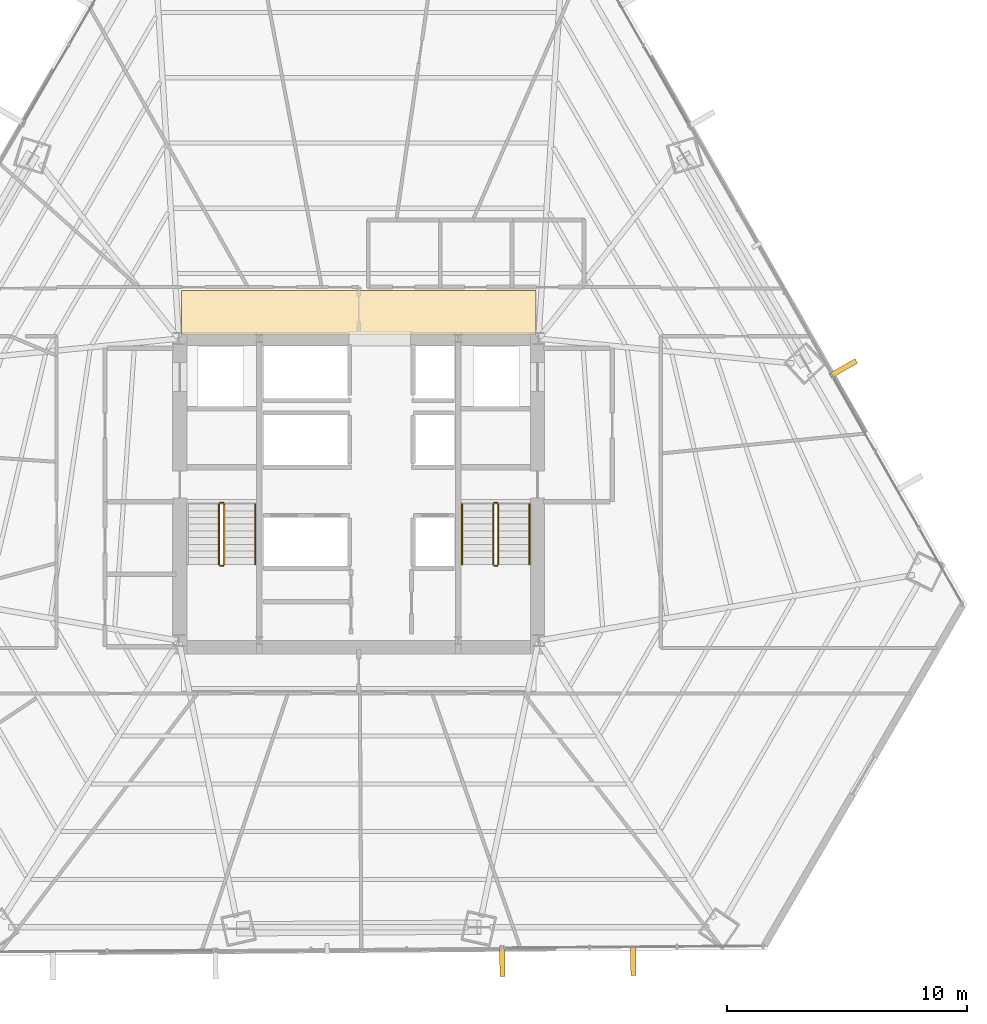
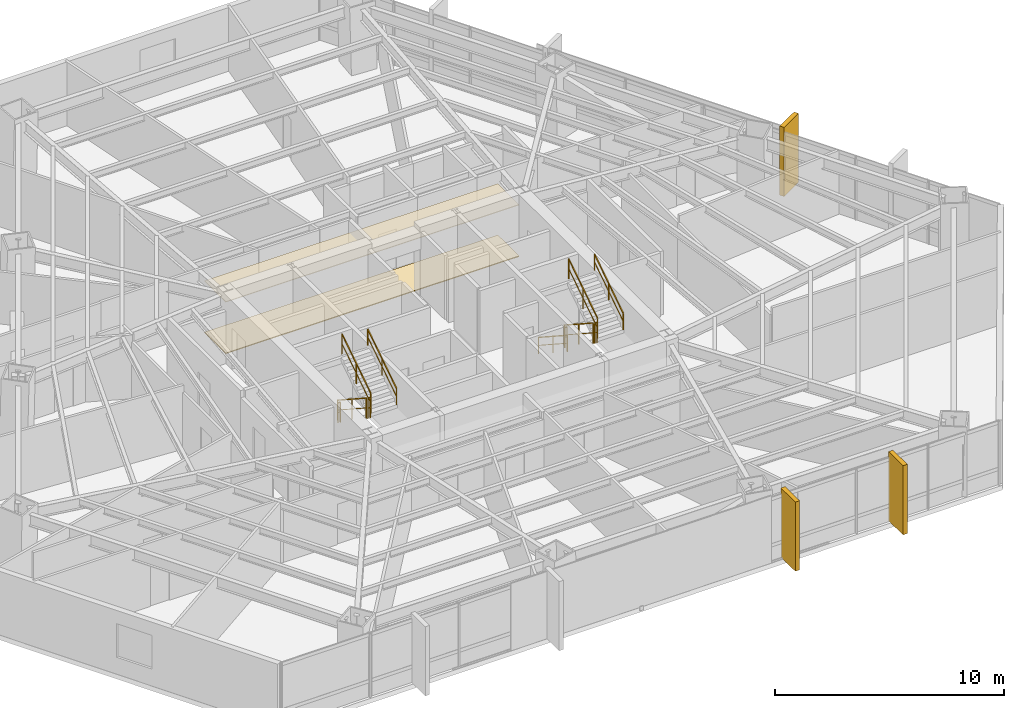
# One storey, part 33 of 34: 11 railings, 5 coverings.
"""IFC4 building model written with IfcOpenShell, lengths in metres."""

from ifc_helpers import new_model, si_unit, direction, frame, origin, origin_2d, place, context, subcontext, project, spatial, polyline, rectangle, outline, extrude, source, transform, mapped, material, layer, layer_set, type_object, type_shapes, element, save


model = new_model("IFC4")

# Units and contexts
model_context = context("Model", 3, precision=1e-05, world=origin(), true_north=direction((0.0, 1.0)))
body_context = subcontext(model_context, "Body", "Model", "MODEL_VIEW")
ifc_project = project(units=[si_unit("LENGTHUNIT", "METRE"), si_unit("AREAUNIT", "SQUARE_METRE"), si_unit("VOLUMEUNIT", "CUBIC_METRE"), si_unit("PLANEANGLEUNIT", "RADIAN"), si_unit("MASSUNIT", "GRAM", prefix="KILO")], contexts=[model_context])

# Site, building, storey
site_placement = place(None, origin())
site = spatial("IfcSite", under=ifc_project, at=site_placement, CompositionType="ELEMENT")
building_placement = place(site_placement, origin())
building = spatial("IfcBuilding", under=site, at=building_placement, Name="Caelisora Broadcast Tower", CompositionType="ELEMENT")
storey_placement = place(building_placement, frame((0.0, 0.0, 56.800048828125)))
storey = spatial("IfcBuildingStorey", under=building, at=storey_placement, Name="L14", CompositionType="ELEMENT", Elevation=56.800048828125)

# Coverings
ifc_material_1 = material(Name="Perforated Mineral-Fibre Acoustic Ceiling Tile", Category="gypsum")
ifc_layer_1 = layer(ifc_material_1, 0.034912109375, Name="Perforated Mineral-Fibre Acoustic Ceiling Tile")
ifc_layer_set_1 = layer_set([ifc_layer_1], Name="Perforated Mineral-Fibre Acoustic Ceiling Tile")
covering_type_1 = type_object("IfcCoveringType", Name="CE-1", PredefinedType="CEILING", material=ifc_layer_set_1)
covering_1_placement = place(storey_placement, frame((0.0, 0.0, 2.75)))
element("IfcCovering", 1, at=covering_1_placement, inside=storey, type_object=covering_type_1, Name="L14 acoustic corridor ceiling CE-1 (N)", PredefinedType="CEILING", context=body_context, shape_type="SweptSolid", body=[
    extrude(outline(polyline([(30.60009765625, 30.14990234375), (45.39990234375, 30.14990234375), (45.39990234375, 32.0), (30.60009765625, 32.0), (30.60009765625, 30.14990234375)])), origin(), (0.0, 0.0, 1.0), 0.034912109375),
])
ifc_material_2 = material(Name="Anti-Static Broadcast Raised Access Floor Panel", Category="steel")
ifc_layer_2 = layer(ifc_material_2, 0.044921875, Name="Anti-Static Broadcast Raised Access Floor Panel")
ifc_layer_set_2 = layer_set([ifc_layer_2], Name="Anti-Static Broadcast Raised Access Floor Panel")
covering_type_2 = type_object("IfcCoveringType", Name="FL-1", PredefinedType="FLOORING", material=ifc_layer_set_2)
covering_2_placement = place(storey_placement, origin())
element("IfcCovering", 2, at=covering_2_placement, inside=storey, type_object=covering_type_2, Name="L14 broadcast raised access floor FL-1 (N)", PredefinedType="FLOORING", context=body_context, shape_type="SweptSolid", body=[
    extrude(outline(polyline([(30.60009765625, 30.14990234375), (45.39990234375, 30.14990234375), (45.39990234375, 32.0), (30.60009765625, 32.0), (30.60009765625, 30.14990234375)])), origin(), (0.0, 0.0, 1.0), 0.044921875),
])

# Railings
ifc_material_3 = material(Name="Galvanised Steel Safety Guardrail", Category="steel")
ifc_layer_3 = layer(ifc_material_3, 0.048095703125, Name="Galvanised Steel Safety Guardrail")
ifc_layer_set_3 = layer_set([ifc_layer_3], Name="Galvanised Steel Safety Guardrail")
railing_type_1 = type_object("IfcRailingType", Name="GR-1", PredefinedType="GUARDRAIL", material=ifc_layer_set_3)
railing_1_placement = place(storey_placement, frame((32.169921875, 23.10009765625, 0.182373046875)))
element("IfcRailing", 3, at=railing_1_placement, inside=storey, type_object=railing_type_1, Name="L14 ST-1 stair guard 1", PredefinedType="GUARDRAIL", context=body_context, shape_type="SweptSolid", body=[
    extrude(rectangle(XDim=0.048095703125, YDim=0.048095703125, at=origin_2d()), frame((0.0, 0.0, 1.076171875), z_axis=(0.0, -0.837749427056, 0.546054848405), x_axis=(1.0, 0.0, 0.0)), (0.0, 0.0, 1.0), 3.008056640625),
    extrude(rectangle(XDim=0.03125, YDim=0.03125, at=origin_2d()), frame((0.0, 0.0, 0.550048828125), z_axis=(0.0, -0.837749427056, 0.546054848405), x_axis=(1.0, 0.0, 0.0)), (0.0, 0.0, 1.0), 3.008056640625),
    extrude(rectangle(XDim=0.0419921875, YDim=0.0419921875, at=origin_2d()), origin(), (0.0, 0.0, 1.0), 1.052001953125),
    extrude(rectangle(XDim=0.0419921875, YDim=0.0419921875, at=origin_2d()), frame((0.0, -1.260009765625, 0.8212890625)), (0.0, 0.0, 1.0), 1.052001953125),
    extrude(rectangle(XDim=0.0419921875, YDim=0.0419921875, at=origin_2d()), frame((0.0, -2.52001953125, 1.642578125)), (0.0, 0.0, 1.0), 1.052001953125),
])
railing_2_placement = place(storey_placement, frame((32.219970703125, 20.530029296875, 1.824951171875)))
element("IfcRailing", 4, at=railing_2_placement, inside=storey, type_object=railing_type_1, Name="L14 ST-1 stair guard 2", PredefinedType="GUARDRAIL", context=body_context, shape_type="SweptSolid", body=[
    extrude(rectangle(XDim=0.048095703125, YDim=0.048095703125, at=origin_2d()), frame((0.0, 0.0, 1.076171875), z_axis=(1.0, 0.0, 0.0), x_axis=(0.0, 1.0, 0.0)), (0.0, 0.0, 1.0), 0.1201171875),
    extrude(rectangle(XDim=0.03125, YDim=0.03125, at=origin_2d()), frame((0.0, 0.0, 0.550048828125), z_axis=(1.0, 0.0, 0.0), x_axis=(0.0, 1.0, 0.0)), (0.0, 0.0, 1.0), 0.1201171875),
    extrude(rectangle(XDim=0.0419921875, YDim=0.0419921875, at=origin_2d()), origin(), (0.0, 0.0, 1.0), 1.052001953125),
    extrude(rectangle(XDim=0.0419921875, YDim=0.0419921875, at=origin_2d()), frame((0.1201171875, 0.0, 0.0)), (0.0, 0.0, 1.0), 1.052001953125),
])
railing_3_placement = place(storey_placement, frame((32.389892578125, 20.580078125, 2.007568359375)))
element("IfcRailing", 5, at=railing_3_placement, inside=storey, type_object=railing_type_1, Name="L14 ST-1 stair guard 3", PredefinedType="GUARDRAIL", context=body_context, shape_type="SweptSolid", body=[
    extrude(rectangle(XDim=0.048095703125, YDim=0.048095703125, at=origin_2d()), frame((0.0, 0.0, 1.076171875), z_axis=(0.0, 0.837786554691, 0.545997883492), x_axis=(-1.0, 0.0, 0.0)), (0.0, 0.0, 1.0), 3.008056640625),
    extrude(rectangle(XDim=0.03125, YDim=0.03125, at=origin_2d()), frame((0.0, 0.0, 0.550048828125), z_axis=(0.0, 0.837786554691, 0.545997883492), x_axis=(-1.0, 0.0, 0.0)), (0.0, 0.0, 1.0), 3.008056640625),
    extrude(rectangle(XDim=0.0419921875, YDim=0.0419921875, at=origin_2d()), origin(), (0.0, 0.0, 1.0), 1.052001953125),
    extrude(rectangle(XDim=0.0419921875, YDim=0.0419921875, at=origin_2d()), frame((0.0, 1.260009765625, 0.8212890625)), (0.0, 0.0, 1.0), 1.052001953125),
    extrude(rectangle(XDim=0.0419921875, YDim=0.0419921875, at=origin_2d()), frame((0.0, 2.52001953125, 1.642333984375)), (0.0, 0.0, 1.0), 1.052001953125),
])
railing_4_placement = place(storey_placement, frame((32.219970703125, 23.14990234375, 0.0)))
element("IfcRailing", 6, at=railing_4_placement, inside=storey, type_object=railing_type_1, Name="L14 ST-1 stair guard 4", PredefinedType="GUARDRAIL", context=body_context, shape_type="SweptSolid", body=[
    extrude(rectangle(XDim=0.048095703125, YDim=0.048095703125, at=origin_2d()), frame((0.0, 0.0, 1.076171875), z_axis=(1.0, 0.0, 0.0), x_axis=(0.0, 1.0, 0.0)), (0.0, 0.0, 1.0), 0.1201171875),
    extrude(rectangle(XDim=0.03125, YDim=0.03125, at=origin_2d()), frame((0.0, 0.0, 0.550048828125), z_axis=(1.0, 0.0, 0.0), x_axis=(0.0, 1.0, 0.0)), (0.0, 0.0, 1.0), 0.1201171875),
    extrude(rectangle(XDim=0.0419921875, YDim=0.0419921875, at=origin_2d()), origin(), (0.0, 0.0, 1.0), 1.052001953125),
    extrude(rectangle(XDim=0.0419921875, YDim=0.0419921875, at=origin_2d()), frame((0.1201171875, 0.0, 0.0)), (0.0, 0.0, 1.0), 1.052001953125),
])
railing_5_placement = place(storey_placement, frame((43.610107421875, 23.10009765625, 0.182373046875)))
element("IfcRailing", 7, at=railing_5_placement, inside=storey, type_object=railing_type_1, Name="L14 ST-2 stair guard 1", PredefinedType="GUARDRAIL", context=body_context, shape_type="SweptSolid", body=[
    extrude(rectangle(XDim=0.048095703125, YDim=0.048095703125, at=origin_2d()), frame((0.0, 0.0, 1.076171875), z_axis=(0.0, -0.837749427056, 0.546054848405), x_axis=(1.0, 0.0, 0.0)), (0.0, 0.0, 1.0), 3.008056640625),
    extrude(rectangle(XDim=0.03125, YDim=0.03125, at=origin_2d()), frame((0.0, 0.0, 0.550048828125), z_axis=(0.0, -0.837749427056, 0.546054848405), x_axis=(1.0, 0.0, 0.0)), (0.0, 0.0, 1.0), 3.008056640625),
    extrude(rectangle(XDim=0.0419921875, YDim=0.0419921875, at=origin_2d()), origin(), (0.0, 0.0, 1.0), 1.052001953125),
    extrude(rectangle(XDim=0.0419921875, YDim=0.0419921875, at=origin_2d()), frame((0.0, -1.260009765625, 0.8212890625)), (0.0, 0.0, 1.0), 1.052001953125),
    extrude(rectangle(XDim=0.0419921875, YDim=0.0419921875, at=origin_2d()), frame((0.0, -2.52001953125, 1.642578125)), (0.0, 0.0, 1.0), 1.052001953125),
])
railing_6_placement = place(storey_placement, frame((43.659912109375, 20.530029296875, 1.824951171875)))
element("IfcRailing", 8, at=railing_6_placement, inside=storey, type_object=railing_type_1, Name="L14 ST-2 stair guard 2", PredefinedType="GUARDRAIL", context=body_context, shape_type="SweptSolid", body=[
    extrude(rectangle(XDim=0.048095703125, YDim=0.048095703125, at=origin_2d()), frame((0.0, 0.0, 1.076171875), z_axis=(1.0, 0.0, 0.0), x_axis=(0.0, 1.0, 0.0)), (0.0, 0.0, 1.0), 0.1201171875),
    extrude(rectangle(XDim=0.03125, YDim=0.03125, at=origin_2d()), frame((0.0, 0.0, 0.550048828125), z_axis=(1.0, 0.0, 0.0), x_axis=(0.0, 1.0, 0.0)), (0.0, 0.0, 1.0), 0.1201171875),
    extrude(rectangle(XDim=0.0419921875, YDim=0.0419921875, at=origin_2d()), origin(), (0.0, 0.0, 1.0), 1.052001953125),
    extrude(rectangle(XDim=0.0419921875, YDim=0.0419921875, at=origin_2d()), frame((0.1201171875, 0.0, 0.0)), (0.0, 0.0, 1.0), 1.052001953125),
])
railing_7_placement = place(storey_placement, frame((43.830078125, 20.580078125, 2.007568359375)))
element("IfcRailing", 9, at=railing_7_placement, inside=storey, type_object=railing_type_1, Name="L14 ST-2 stair guard 3", PredefinedType="GUARDRAIL", context=body_context, shape_type="SweptSolid", body=[
    extrude(rectangle(XDim=0.048095703125, YDim=0.048095703125, at=origin_2d()), frame((0.0, 0.0, 1.076171875), z_axis=(0.0, 0.837786554691, 0.545997883492), x_axis=(-1.0, 0.0, 0.0)), (0.0, 0.0, 1.0), 3.008056640625),
    extrude(rectangle(XDim=0.03125, YDim=0.03125, at=origin_2d()), frame((0.0, 0.0, 0.550048828125), z_axis=(0.0, 0.837786554691, 0.545997883492), x_axis=(-1.0, 0.0, 0.0)), (0.0, 0.0, 1.0), 3.008056640625),
    extrude(rectangle(XDim=0.0419921875, YDim=0.0419921875, at=origin_2d()), origin(), (0.0, 0.0, 1.0), 1.052001953125),
    extrude(rectangle(XDim=0.0419921875, YDim=0.0419921875, at=origin_2d()), frame((0.0, 1.260009765625, 0.8212890625)), (0.0, 0.0, 1.0), 1.052001953125),
    extrude(rectangle(XDim=0.0419921875, YDim=0.0419921875, at=origin_2d()), frame((0.0, 2.52001953125, 1.642333984375)), (0.0, 0.0, 1.0), 1.052001953125),
])
railing_8_placement = place(storey_placement, frame((43.659912109375, 23.14990234375, 0.0)))
element("IfcRailing", 10, at=railing_8_placement, inside=storey, type_object=railing_type_1, Name="L14 ST-2 stair guard 4", PredefinedType="GUARDRAIL", context=body_context, shape_type="SweptSolid", body=[
    extrude(rectangle(XDim=0.048095703125, YDim=0.048095703125, at=origin_2d()), frame((0.0, 0.0, 1.076171875), z_axis=(1.0, 0.0, 0.0), x_axis=(0.0, 1.0, 0.0)), (0.0, 0.0, 1.0), 0.1201171875),
    extrude(rectangle(XDim=0.03125, YDim=0.03125, at=origin_2d()), frame((0.0, 0.0, 0.550048828125), z_axis=(1.0, 0.0, 0.0), x_axis=(0.0, 1.0, 0.0)), (0.0, 0.0, 1.0), 0.1201171875),
    extrude(rectangle(XDim=0.0419921875, YDim=0.0419921875, at=origin_2d()), origin(), (0.0, 0.0, 1.0), 1.052001953125),
    extrude(rectangle(XDim=0.0419921875, YDim=0.0419921875, at=origin_2d()), frame((0.1201171875, 0.0, 0.0)), (0.0, 0.0, 1.0), 1.052001953125),
])
ifc_material_4 = material(Name="Stainless Steel Grade 316 Tubular Handrail", Category="steel")
ifc_layer_4 = layer(ifc_material_4, 0.048095703125, Name="Stainless Steel Grade 316 Tubular Handrail")
ifc_layer_set_4 = layer_set([ifc_layer_4], Name="Stainless Steel Grade 316 Tubular Handrail")
railing_type_2 = type_object("IfcRailingType", Name="HR-1", PredefinedType="HANDRAIL", material=ifc_layer_set_4)
railing_9_placement = place(storey_placement, frame((33.68994140625, 20.580078125, 2.007568359375)))
element("IfcRailing", 11, at=railing_9_placement, inside=storey, type_object=railing_type_2, Name="L14 ST-1 stair handrail 2", PredefinedType="HANDRAIL", context=body_context, shape_type="SweptSolid", body=[
    extrude(rectangle(XDim=0.048095703125, YDim=0.048095703125, at=origin_2d()), frame((0.0, 0.0, 0.8759765625), z_axis=(0.0, 0.837786554691, 0.545997883492), x_axis=(-1.0, 0.0, 0.0)), (0.0, 0.0, 1.0), 3.008056640625),
    extrude(rectangle(XDim=0.03125, YDim=0.03125, at=origin_2d()), frame((0.0, 0.0, 0.449951171875), z_axis=(0.0, 0.837786554691, 0.545997883492), x_axis=(-1.0, 0.0, 0.0)), (0.0, 0.0, 1.0), 3.008056640625),
    extrude(rectangle(XDim=0.0419921875, YDim=0.0419921875, at=origin_2d()), origin(), (0.0, 0.0, 1.0), 0.851806640625),
    extrude(rectangle(XDim=0.0419921875, YDim=0.0419921875, at=origin_2d()), frame((0.0, 1.260009765625, 0.8212890625)), (0.0, 0.0, 1.0), 0.851806640625),
    extrude(rectangle(XDim=0.0419921875, YDim=0.0419921875, at=origin_2d()), frame((0.0, 2.52001953125, 1.642333984375)), (0.0, 0.0, 1.0), 0.851806640625),
])
railing_10_placement = place(storey_placement, frame((42.31005859375, 23.10009765625, 0.182373046875)))
element("IfcRailing", 12, at=railing_10_placement, inside=storey, type_object=railing_type_2, Name="L14 ST-2 stair handrail 1", PredefinedType="HANDRAIL", context=body_context, shape_type="SweptSolid", body=[
    extrude(rectangle(XDim=0.048095703125, YDim=0.048095703125, at=origin_2d()), frame((0.0, 0.0, 0.8759765625), z_axis=(0.0, -0.837749427056, 0.546054848405), x_axis=(1.0, 0.0, 0.0)), (0.0, 0.0, 1.0), 3.008056640625),
    extrude(rectangle(XDim=0.03125, YDim=0.03125, at=origin_2d()), frame((0.0, 0.0, 0.449951171875), z_axis=(0.0, -0.837749427056, 0.546054848405), x_axis=(1.0, 0.0, 0.0)), (0.0, 0.0, 1.0), 3.008056640625),
    extrude(rectangle(XDim=0.0419921875, YDim=0.0419921875, at=origin_2d()), origin(), (0.0, 0.0, 1.0), 0.851806640625),
    extrude(rectangle(XDim=0.0419921875, YDim=0.0419921875, at=origin_2d()), frame((0.0, -1.260009765625, 0.8212890625)), (0.0, 0.0, 1.0), 0.851806640625),
    extrude(rectangle(XDim=0.0419921875, YDim=0.0419921875, at=origin_2d()), frame((0.0, -2.52001953125, 1.642578125)), (0.0, 0.0, 1.0), 0.851806640625),
])
railing_11_placement = place(storey_placement, frame((45.1298828125, 20.580078125, 2.007568359375)))
element("IfcRailing", 13, at=railing_11_placement, inside=storey, type_object=railing_type_2, Name="L14 ST-2 stair handrail 2", PredefinedType="HANDRAIL", context=body_context, shape_type="SweptSolid", body=[
    extrude(rectangle(XDim=0.048095703125, YDim=0.048095703125, at=origin_2d()), frame((0.0, 0.0, 0.8759765625), z_axis=(0.0, 0.837786554691, 0.545997883492), x_axis=(-1.0, 0.0, 0.0)), (0.0, 0.0, 1.0), 3.008056640625),
    extrude(rectangle(XDim=0.03125, YDim=0.03125, at=origin_2d()), frame((0.0, 0.0, 0.449951171875), z_axis=(0.0, 0.837786554691, 0.545997883492), x_axis=(-1.0, 0.0, 0.0)), (0.0, 0.0, 1.0), 3.008056640625),
    extrude(rectangle(XDim=0.0419921875, YDim=0.0419921875, at=origin_2d()), origin(), (0.0, 0.0, 1.0), 0.851806640625),
    extrude(rectangle(XDim=0.0419921875, YDim=0.0419921875, at=origin_2d()), frame((0.0, 1.260009765625, 0.8212890625)), (0.0, 0.0, 1.0), 0.851806640625),
    extrude(rectangle(XDim=0.0419921875, YDim=0.0419921875, at=origin_2d()), frame((0.0, 2.52001953125, 1.642333984375)), (0.0, 0.0, 1.0), 0.851806640625),
])

# Coverings
ifc_material_5 = material(Name="Kiln-Fired Terracotta Spandrel Rainscreen Cladding", Category="ceramic")
ifc_layer_5 = layer(ifc_material_5, 0.044921875, Name="Kiln-Fired Terracotta Spandrel Rainscreen Cladding")
ifc_layer_set_5 = layer_set([ifc_layer_5], Name="Kiln-Fired Terracotta Spandrel Rainscreen Cladding")
covering_type_3 = type_object("IfcCoveringType", Name="CL-1", PredefinedType="CLADDING", material=ifc_layer_set_5)
shared_shape = source(origin(), body_context, "Body", "SweptSolid", [
    extrude(rectangle(XDim=0.219970703125, YDim=1.25, at=origin_2d()), origin(), (0.0, 0.0, 1.0), 3.68994140625),
])
type_shapes(covering_type_3, [shared_shape])
for number, where, z_axis, x_axis, name in (
    (14, (58.22021484375, 28.758056640625, -0.02001953125), (0.0, 0.0, 1.0), (0.496064966839, -0.868285407383, 0.0), "L14 vertical solar fin cladding #1-3"),
    (15, (49.45751953125, 4.061767578125, -0.02001953125), (0.0, 0.0, 1.0), (-0.999969157645, -0.007853900889, 0.0), "L14 vertical solar fin cladding #2-1"),
    (16, (43.994384765625, 4.018310546875, -0.02001953125), (0.0, 0.0, 1.0), (-0.999969157645, -0.007853900889, 0.0), "L14 vertical solar fin cladding #2-2"),
):
    element("IfcCovering", number, at=place(storey_placement, frame(where, z_axis=z_axis, x_axis=x_axis)), inside=storey, type_object=covering_type_3, Name=name, PredefinedType="CLADDING", context=body_context, shape_type="MappedRepresentation", body=[
        mapped(shared_shape, transform((0.0, 0.0, 0.0), scale=1.0)),
    ])

save(model, "model.ifc")
